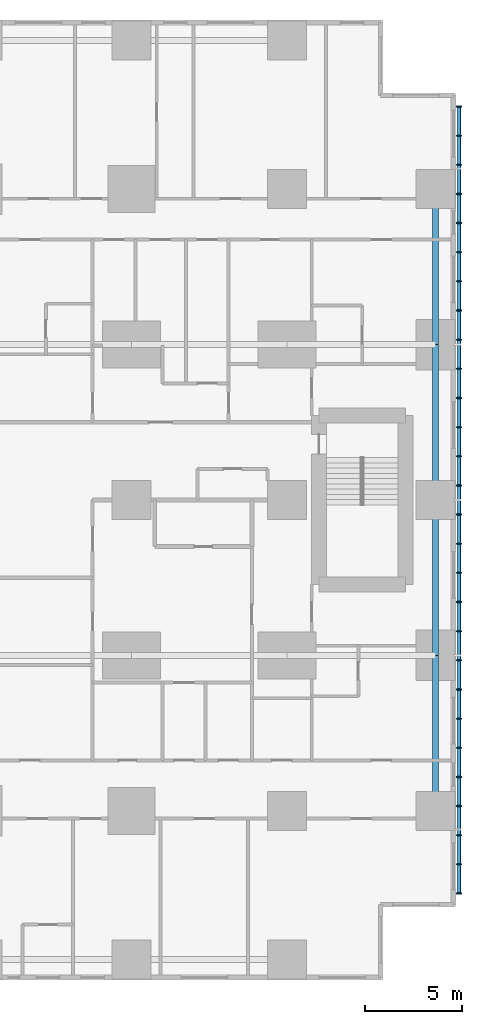
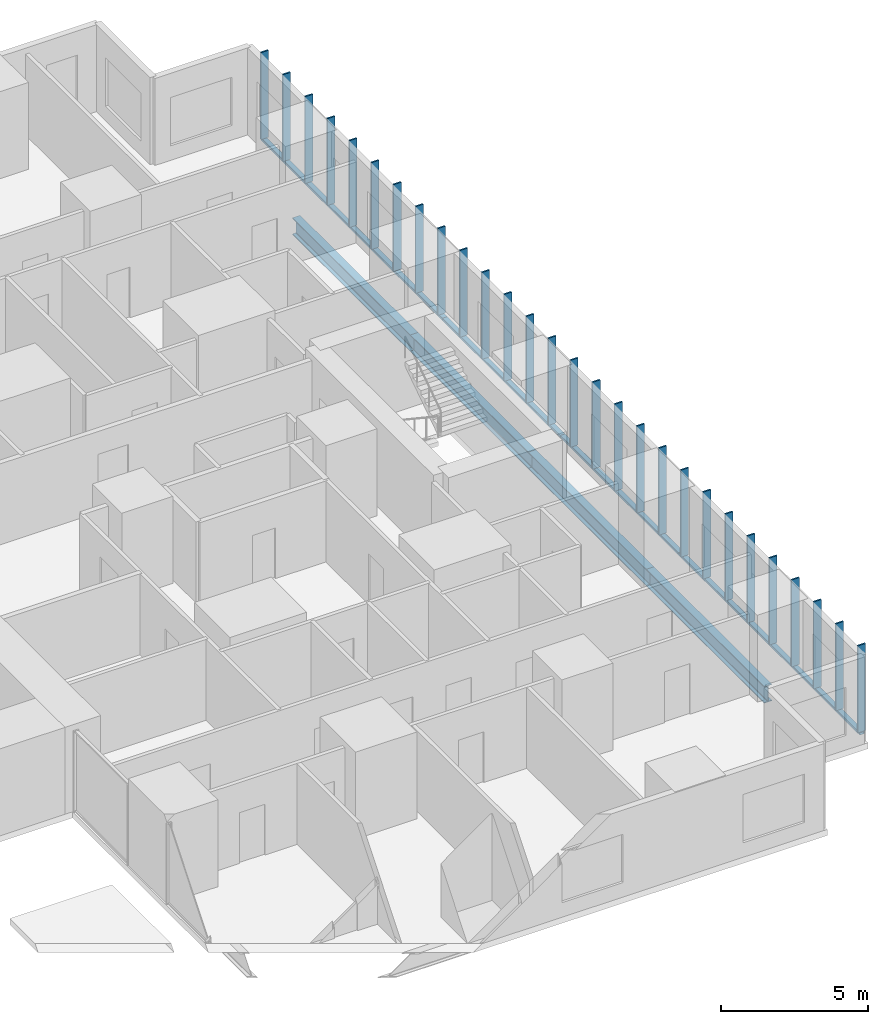
# One storey, part 6 of 22: 32 members, 4 beams.
"""IFC4 building model written with IfcOpenShell, lengths in metres."""

from ifc_helpers import new_model, si_unit, direction, frame, origin, origin_2d, place, context, subcontext, project, spatial, rectangle, hollow_rectangle, i_section, extrude, material, material_profile, profile_set, type_object, element, save


model = new_model("IFC4")

# Units and contexts
model_context = context("Model", 3, precision=1e-05, world=origin(), true_north=direction((0.0, 1.0)))
body_context = subcontext(model_context, "Body", "Model", "MODEL_VIEW")
ifc_project = project(units=[si_unit("LENGTHUNIT", "METRE"), si_unit("AREAUNIT", "SQUARE_METRE"), si_unit("VOLUMEUNIT", "CUBIC_METRE"), si_unit("PLANEANGLEUNIT", "RADIAN"), si_unit("MASSUNIT", "GRAM", prefix="KILO")], contexts=[model_context])

# Site, building, storey
site_placement = place(None, origin())
site = spatial("IfcSite", under=ifc_project, at=site_placement, CompositionType="ELEMENT")
building_placement = place(site_placement, origin())
building = spatial("IfcBuilding", under=site, at=building_placement, Name="Cleftline Residences", CompositionType="ELEMENT")
storey_placement = place(building_placement, frame((0.0, 0.0, 29.60009765625)))
storey = spatial("IfcBuildingStorey", under=building, at=storey_placement, Name="L06", CompositionType="ELEMENT", Elevation=29.60009765625)

# Members
ifc_material_1 = material(Name="Steel S355, hot-dip galvanised", Category="steel")
ifc_material_profile_1 = material_profile(ifc_material_1, hollow_rectangle(XDim=0.10009765625, YDim=0.199951171875, WallThickness=0.008056640625, InnerFilletRadius=0.008056640625, OuterFilletRadius=0.011962890625, at=origin_2d()))
ifc_profile_set_1 = profile_set([ifc_material_profile_1], Name="Steel S355, hot-dip galvanised")
member_type_1 = type_object("IfcMemberType", Name="BAGUETTE CARRIER RHS 200X100X8", PredefinedType="USERDEFINED", material=ifc_profile_set_1)
member_1_placement = place(storey_placement, frame((66.85009765625, 3.699951171875, -0.050048828125), z_axis=(0.0, 1.0, 0.0), x_axis=(0.0, 0.0, 1.0)))
element("IfcMember", 1, at=member_1_placement, inside=storey, type_object=member_type_1, Name="Baguette carrier", ObjectType="BAGUETTE CARRIER", PredefinedType="USERDEFINED", context=body_context, shape_type="SweptSolid", body=[
    extrude(hollow_rectangle(XDim=0.10009765625, YDim=0.199951171875, WallThickness=0.008056640625, InnerFilletRadius=0.008056640625, OuterFilletRadius=0.011962890625, at=origin_2d()), origin(), (0.0, 0.0, 1.0), 12.300048828125),
])
for number, where, z_axis, x_axis, name in (
    (2, (66.85009765625, 16.0, -0.050048828125), (0.0, 1.0, 0.0), (0.0, 0.0, 1.0), "Baguette carrier"),
    (3, (66.85009765625, 24.0, -0.050048828125), (0.0, 1.0, 0.0), (0.0, 0.0, 1.0), "Baguette carrier"),
):
    element("IfcMember", number, at=place(storey_placement, frame(where, z_axis=z_axis, x_axis=x_axis)), inside=storey, type_object=member_type_1, Name=name, ObjectType="BAGUETTE CARRIER", PredefinedType="USERDEFINED", context=body_context, shape_type="SweptSolid", body=[
        extrude(hollow_rectangle(XDim=0.10009765625, YDim=0.199951171875, WallThickness=0.008056640625, InnerFilletRadius=0.008056640625, OuterFilletRadius=0.011962890625, at=origin_2d()), origin(), (0.0, 0.0, 1.0), 8.0),
    ])
member_2_placement = place(storey_placement, frame((66.85009765625, 32.0, -0.050048828125), z_axis=(0.0, 1.0, 0.0), x_axis=(0.0, 0.0, 1.0)))
element("IfcMember", 4, at=member_2_placement, inside=storey, type_object=member_type_1, Name="Baguette carrier", ObjectType="BAGUETTE CARRIER", PredefinedType="USERDEFINED", context=body_context, shape_type="SweptSolid", body=[
    extrude(hollow_rectangle(XDim=0.10009765625, YDim=0.199951171875, WallThickness=0.008056640625, InnerFilletRadius=0.008056640625, OuterFilletRadius=0.011962890625, at=origin_2d()), origin(), (0.0, 0.0, 1.0), 12.300048828125),
])

# Beams
ifc_material_2 = material(Name="Steel S355", Category="steel")
ifc_material_profile_2 = material_profile(ifc_material_2, i_section(OverallWidth=0.300048828125, OverallDepth=0.699951171875, WebThickness=0.01708984375, FlangeThickness=0.031982421875, FilletRadius=0.027099609375, at=origin_2d()))
ifc_profile_set_2 = profile_set([ifc_material_profile_2], Name="Steel S355")
beam_type = type_object("IfcBeamType", Name="BEAM HEB 700", PredefinedType="BEAM", material=ifc_profile_set_2)
for number, where, z_axis, x_axis, name in (
    (5, (65.64990234375, 8.0, -0.60009765625), (0.0, 1.0, 0.0), (-1.0, 0.0, 0.0), "Edge beam"),
    (6, (65.64990234375, 16.0, -0.60009765625), (0.0, 1.0, 0.0), (-1.0, 0.0, 0.0), "Edge beam"),
    (7, (65.64990234375, 24.0, -0.60009765625), (0.0, 1.0, 0.0), (-1.0, 0.0, 0.0), "Edge beam"),
    (8, (65.64990234375, 32.0, -0.60009765625), (0.0, 1.0, 0.0), (-1.0, 0.0, 0.0), "Edge beam"),
):
    element("IfcBeam", number, at=place(storey_placement, frame(where, z_axis=z_axis, x_axis=x_axis)), inside=storey, type_object=beam_type, Name=name, PredefinedType="BEAM", context=body_context, shape_type="SweptSolid", body=[
        extrude(i_section(OverallWidth=0.300048828125, OverallDepth=0.699951171875, WebThickness=0.01708984375, FlangeThickness=0.031982421875, FilletRadius=0.027099609375, at=origin_2d()), origin(), (0.0, 0.0, 1.0), 8.0),
    ])

# Members
ifc_material_3 = material(Name="Extruded terracotta", Category="masonry")
ifc_material_profile_3 = material_profile(ifc_material_3, rectangle(XDim=0.06005859375, YDim=0.300048828125, at=origin_2d()))
ifc_profile_set_3 = profile_set([ifc_material_profile_3], Name="Extruded terracotta")
member_type_2 = type_object("IfcMemberType", Name="TERRACOTTA BAGUETTE 60X300", PredefinedType="USERDEFINED", material=ifc_profile_set_3)
for number, where, z_axis, x_axis, name in (
    (9, (66.85009765625, 3.75, 0.0), (0.0, 0.0, 1.0), (0.0, 1.0, 0.0), "Terracotta baguette"),
    (10, (66.85009765625, 5.25, 0.0), (0.0, 0.0, 1.0), (0.0, 1.0, 0.0), "Terracotta baguette"),
    (11, (66.85009765625, 6.75, 0.0), (0.0, 0.0, 1.0), (0.0, 1.0, 0.0), "Terracotta baguette"),
    (12, (66.85009765625, 8.25, 0.0), (0.0, 0.0, 1.0), (0.0, 1.0, 0.0), "Terracotta baguette"),
    (13, (66.85009765625, 9.75, 0.0), (0.0, 0.0, 1.0), (0.0, 1.0, 0.0), "Terracotta baguette"),
    (14, (66.85009765625, 11.25, 0.0), (0.0, 0.0, 1.0), (0.0, 1.0, 0.0), "Terracotta baguette"),
    (15, (66.85009765625, 12.75, 0.0), (0.0, 0.0, 1.0), (0.0, 1.0, 0.0), "Terracotta baguette"),
    (16, (66.85009765625, 14.25, 0.0), (0.0, 0.0, 1.0), (0.0, 1.0, 0.0), "Terracotta baguette"),
    (17, (66.85009765625, 15.75, 0.0), (0.0, 0.0, 1.0), (0.0, 1.0, 0.0), "Terracotta baguette"),
    (18, (66.85009765625, 17.25, 0.0), (0.0, 0.0, 1.0), (0.0, 1.0, 0.0), "Terracotta baguette"),
    (19, (66.85009765625, 18.75, 0.0), (0.0, 0.0, 1.0), (0.0, 1.0, 0.0), "Terracotta baguette"),
    (20, (66.85009765625, 20.25, 0.0), (0.0, 0.0, 1.0), (0.0, 1.0, 0.0), "Terracotta baguette"),
    (21, (66.85009765625, 21.75, 0.0), (0.0, 0.0, 1.0), (0.0, 1.0, 0.0), "Terracotta baguette"),
    (22, (66.85009765625, 23.25, 0.0), (0.0, 0.0, 1.0), (0.0, 1.0, 0.0), "Terracotta baguette"),
    (23, (66.85009765625, 24.75, 0.0), (0.0, 0.0, 1.0), (0.0, 1.0, 0.0), "Terracotta baguette"),
    (24, (66.85009765625, 26.25, 0.0), (0.0, 0.0, 1.0), (0.0, 1.0, 0.0), "Terracotta baguette"),
    (25, (66.85009765625, 27.75, 0.0), (0.0, 0.0, 1.0), (0.0, 1.0, 0.0), "Terracotta baguette"),
    (26, (66.85009765625, 29.25, 0.0), (0.0, 0.0, 1.0), (0.0, 1.0, 0.0), "Terracotta baguette"),
    (27, (66.85009765625, 30.75, 0.0), (0.0, 0.0, 1.0), (0.0, 1.0, 0.0), "Terracotta baguette"),
    (28, (66.85009765625, 32.25, 0.0), (0.0, 0.0, 1.0), (0.0, 1.0, 0.0), "Terracotta baguette"),
    (29, (66.85009765625, 33.75, 0.0), (0.0, 0.0, 1.0), (0.0, 1.0, 0.0), "Terracotta baguette"),
    (30, (66.85009765625, 35.25, 0.0), (0.0, 0.0, 1.0), (0.0, 1.0, 0.0), "Terracotta baguette"),
    (31, (66.85009765625, 36.75, 0.0), (0.0, 0.0, 1.0), (0.0, 1.0, 0.0), "Terracotta baguette"),
    (32, (66.85009765625, 38.25, 0.0), (0.0, 0.0, 1.0), (0.0, 1.0, 0.0), "Terracotta baguette"),
    (33, (66.85009765625, 39.75, 0.0), (0.0, 0.0, 1.0), (0.0, 1.0, 0.0), "Terracotta baguette"),
    (34, (66.85009765625, 41.25, 0.0), (0.0, 0.0, 1.0), (0.0, 1.0, 0.0), "Terracotta baguette"),
    (35, (66.85009765625, 42.75, 0.0), (0.0, 0.0, 1.0), (0.0, 1.0, 0.0), "Terracotta baguette"),
    (36, (66.85009765625, 44.25, 0.0), (0.0, 0.0, 1.0), (0.0, 1.0, 0.0), "Terracotta baguette"),
):
    element("IfcMember", number, at=place(storey_placement, frame(where, z_axis=z_axis, x_axis=x_axis)), inside=storey, type_object=member_type_2, Name=name, ObjectType="BAGUETTE", PredefinedType="USERDEFINED", context=body_context, shape_type="SweptSolid", body=[
        extrude(rectangle(XDim=0.06005859375, YDim=0.300048828125, at=origin_2d()), origin(), (0.0, 0.0, 1.0), 3.599853515625),
    ])

save(model, "model.ifc")
